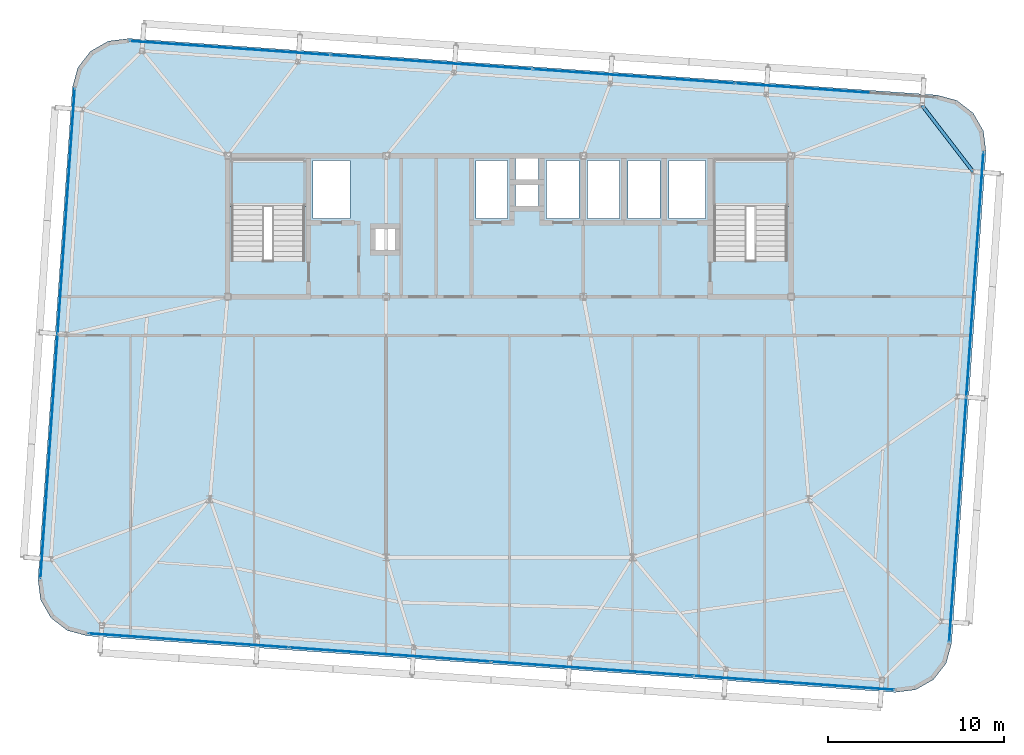
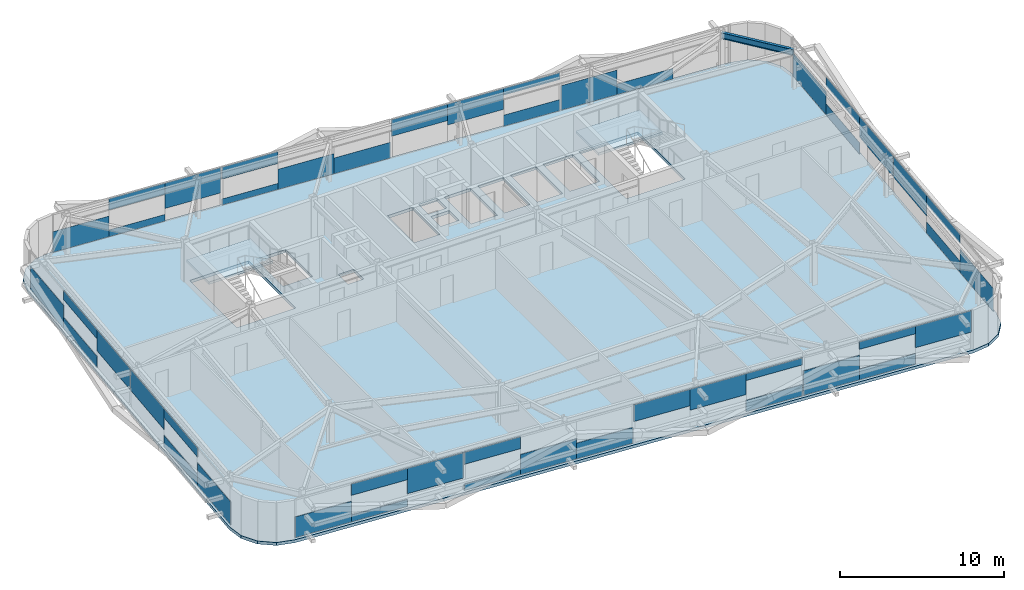
# One storey, part 25 of 39: 46 plates, 3 slabs, 1 beam, 6 elements without a shape of their own.
"""IFC4 building model written with IfcOpenShell, lengths in metres."""

from ifc_helpers import new_model, si_unit, direction, frame, origin, origin_2d, place, context, subcontext, project, spatial, polyline, rectangle, i_section, outline, extrude, source, transform, mapped, material, layer, layer_set, material_profile, profile_set, type_object, element, aggregate, save


model = new_model("IFC4")

# Units and contexts
model_context = context("Model", 3, precision=1e-05, world=origin(), true_north=direction((0.0, 1.0)))
body_context = subcontext(model_context, "Body", "Model", "MODEL_VIEW")
ifc_project = project(units=[si_unit("LENGTHUNIT", "METRE"), si_unit("AREAUNIT", "SQUARE_METRE"), si_unit("VOLUMEUNIT", "CUBIC_METRE"), si_unit("PLANEANGLEUNIT", "RADIAN"), si_unit("MASSUNIT", "GRAM", prefix="KILO")], contexts=[model_context])

# Site, building, storey
site_placement = place(None, origin())
site = spatial("IfcSite", under=ifc_project, at=site_placement, CompositionType="ELEMENT")
building_placement = place(site_placement, origin())
building = spatial("IfcBuilding", under=site, at=building_placement, Name="Taldren Reach Tower", CompositionType="ELEMENT")
storey_placement = place(building_placement, frame((0.0, 0.0, 155.050048828125)))
storey = spatial("IfcBuildingStorey", under=building, at=storey_placement, Name="L47", CompositionType="ELEMENT", Elevation=155.050048828125)

# Beam
ifc_material_1 = material(Name="Steel Gr 350 (350PLUS)", Category="steel")
ifc_material_profile = material_profile(ifc_material_1, i_section(OverallWidth=0.18994140625, OverallDepth=0.4541015625, WebThickness=0.008544921875, FlangeThickness=0.0126953125, at=origin_2d()), Name="460UB67.1")
ifc_profile_set = profile_set([ifc_material_profile], Name="Steel Gr 350 (350PLUS)")
beam_type = type_object("IfcBeamType", Name="SP-UB460B", PredefinedType="SPANDREL", material=ifc_profile_set)
shared_shape_1 = source(origin(), body_context, "Body", "SweptSolid", [
    extrude(i_section(OverallWidth=0.18994140625, OverallDepth=0.4541015625, WebThickness=0.008544921875, FlangeThickness=0.0126953125, at=origin_2d()), origin(), (0.0, 0.0, 1.0), 4.745849609375),
])
beam_placement = place(storey_placement, frame((61.3310546875, 31.1005859375, 2.702880859375), z_axis=(-0.609904656723, 0.792474800677, 0.0), x_axis=(-0.792474800677, -0.609904656723, 0.0)))
element("IfcBeam", 1, at=beam_placement, inside=storey, type_object=beam_type, Name="Perimeter spandrel B3 E3-N6 L47", PredefinedType="SPANDREL", context=body_context, shape_type="MappedRepresentation", body=[
    mapped(shared_shape_1, transform((0.0, 0.0, 0.0), scale=1.0)),
])

# Slab
ifc_material_2 = material(Name="Concrete N40 (40 MPa)", Category="concrete")
ifc_layer_1 = layer(ifc_material_2, 0.219970703125)
ifc_layer_set_1 = layer_set([ifc_layer_1], Name="Concrete N40 (40 MPa)")
slab_type_1 = type_object("IfcSlabType", Name="SL-FLR-220", PredefinedType="FLOOR", material=ifc_layer_set_1)
slab_1_placement = place(storey_placement, frame((0.0, 0.0, -0.219970703125)))
element("IfcSlab", 2, at=slab_1_placement, inside=storey, type_object=slab_type_1, Name="Suspended floor slab L47", PredefinedType="FLOOR", context=body_context, shape_type="SweptSolid", body=[
    extrude(outline(polyline([(56.908203125, 1.537109375), (58.0693359375, 1.684814453125), (59.08544921875, 2.265625), (59.80224609375, 3.191162109375), (60.110107421875, 4.320556640625), (62.063232421875, 32.252197265625), (61.91552734375, 33.413330078125), (61.334716796875, 34.4296875), (60.4091796875, 35.146240234375), (59.27978515625, 35.4541015625), (13.391845703125, 38.6630859375), (12.230712890625, 38.515380859375), (11.21435546875, 37.934326171875), (10.497802734375, 37.0087890625), (10.18994140625, 35.879638671875), (8.23681640625, 7.94775390625), (8.384521484375, 6.78662109375), (8.96533203125, 5.770263671875), (9.890869140625, 5.0537109375), (11.020263671875, 4.745849609375), (56.908203125, 1.537109375)]), holes=[polyline([(19.219970703125, 26.050048828125), (23.3798828125, 26.050048828125), (23.3798828125, 31.820068359375), (19.219970703125, 31.820068359375), (19.219970703125, 26.050048828125)]), polyline([(46.6201171875, 26.050048828125), (50.780029296875, 26.050048828125), (50.780029296875, 31.820068359375), (46.6201171875, 31.820068359375), (46.6201171875, 26.050048828125)]), polyline([(23.85009765625, 28.449951171875), (25.949951171875, 28.449951171875), (25.949951171875, 31.75), (23.85009765625, 31.75), (23.85009765625, 28.449951171875)]), polyline([(44.050048828125, 28.449951171875), (46.14990234375, 28.449951171875), (46.14990234375, 31.75), (44.050048828125, 31.75), (44.050048828125, 28.449951171875)]), polyline([(33.10009765625, 28.449951171875), (34.89990234375, 28.449951171875), (34.89990234375, 31.75), (33.10009765625, 31.75), (33.10009765625, 28.449951171875)]), polyline([(37.10009765625, 28.449951171875), (38.949951171875, 28.449951171875), (38.949951171875, 31.75), (37.10009765625, 31.75), (37.10009765625, 28.449951171875)]), polyline([(39.449951171875, 28.449951171875), (41.25, 28.449951171875), (41.25, 31.75), (39.449951171875, 31.75), (39.449951171875, 28.449951171875)]), polyline([(41.75, 28.449951171875), (43.550048828125, 28.449951171875), (43.550048828125, 31.75), (41.75, 31.75), (41.75, 28.449951171875)]), polyline([(35.35009765625, 30.64990234375), (36.64990234375, 30.64990234375), (36.64990234375, 31.85009765625), (35.35009765625, 31.85009765625), (35.35009765625, 30.64990234375)]), polyline([(35.35009765625, 29.14990234375), (36.64990234375, 29.14990234375), (36.64990234375, 30.35009765625), (35.35009765625, 30.35009765625), (35.35009765625, 29.14990234375)]), polyline([(27.39990234375, 26.64990234375), (28.5, 26.64990234375), (28.5, 27.85009765625), (27.39990234375, 27.85009765625), (27.39990234375, 26.64990234375)])]), origin(), (0.0, 0.0, 1.0), 0.219970703125),
])

# Stair, slab
ifc_material_3 = material(Name="Concrete S50 (50 MPa)", Category="concrete")
stair_type = type_object("IfcStairType", Name="ST-HT-315", PredefinedType="HALF_TURN_STAIR", material=ifc_material_3)
stair_1_placement = place(storey_placement, origin())
stair_1 = element("IfcStair", 3, at=stair_1_placement, inside=storey, type_object=stair_type, Name="Fire-isolated exit stair ST1 L47", PredefinedType="HALF_TURN_STAIR")
ifc_layer_2 = layer(ifc_material_3, 0.179931640625)
ifc_layer_set_2 = layer_set([ifc_layer_2], Name="Concrete S50 (50 MPa)")
slab_type_2 = type_object("IfcSlabType", Name="SL-LAND-180", PredefinedType="LANDING", material=ifc_layer_set_2)
slab_2_placement = place(storey_placement, frame((0.0, 0.0, 1.39501953125)))
slab_2 = element("IfcSlab", 4, at=slab_2_placement, type_object=slab_type_2, Name="ST1 landing 1", PredefinedType="LANDING", context=body_context, shape_type="SweptSolid", body=[
    extrude(outline(polyline([(19.0400390625, 29.135009765625), (23.56005859375, 29.135009765625), (23.56005859375, 31.8701171875), (19.0400390625, 31.8701171875), (19.0400390625, 29.135009765625)])), origin(), (0.0, 0.0, 1.0), 0.179931640625),
])
aggregate(stair_1, [slab_2])

stair_2_placement = place(storey_placement, origin())
stair_2 = element("IfcStair", 5, at=stair_2_placement, inside=storey, type_object=stair_type, Name="Fire-isolated exit stair ST2 L47", PredefinedType="HALF_TURN_STAIR")
slab_3_placement = place(storey_placement, frame((0.0, 0.0, 1.39501953125)))
slab_3 = element("IfcSlab", 6, at=slab_3_placement, type_object=slab_type_2, Name="ST2 landing 1", PredefinedType="LANDING", context=body_context, shape_type="SweptSolid", body=[
    extrude(outline(polyline([(46.43994140625, 29.135009765625), (50.9599609375, 29.135009765625), (50.9599609375, 31.8701171875), (46.43994140625, 31.8701171875), (46.43994140625, 29.135009765625)])), origin(), (0.0, 0.0, 1.0), 0.179931640625),
])
aggregate(stair_2, [slab_3])

# Curtain wall, plates
ifc_material_4 = material(Name="Aluminium and Low-E Glass Unitised System", Category="aluminium")
ifc_layer_3 = layer(ifc_material_4, 0.159912109375)
ifc_layer_set_3 = layer_set([ifc_layer_3], Name="Aluminium and Low-E Glass Unitised System")
curtain_wall_type = type_object("IfcCurtainWallType", Name="CW-SYS-4", PredefinedType="NOTDEFINED", material=ifc_layer_set_3)
curtain_wall_1_placement = place(storey_placement, origin())
curtain_wall_1 = element("IfcCurtainWall", 7, at=curtain_wall_1_placement, inside=storey, type_object=curtain_wall_type, Name="Unitised curtain wall CW-L47-S", PredefinedType="NOTDEFINED")
ifc_material_5 = material(Name="Solar-Control Double Glazed IGU", Category="glass")
ifc_layer_4 = layer(ifc_material_5, 0.031982421875)
ifc_layer_set_4 = layer_set([ifc_layer_4], Name="Solar-Control Double Glazed IGU")
plate_type = type_object("IfcPlateType", Name="CW-PNL-IGU32", PredefinedType="CURTAIN_PANEL", material=ifc_layer_set_4)
shared_shape_2 = source(origin(), body_context, "Body", "SweptSolid", [
    extrude(rectangle(XDim=3.79833984375, YDim=0.031982421875, at=origin_2d()), origin(), (0.0, 0.0, 1.0), 1.597900390625),
])
plate_1_placement = place(storey_placement, frame((54.95361328125, 1.81396484375, 1.27685546875), z_axis=(0.0, 0.0, 1.0), x_axis=(0.99756404731, -0.06975651593, 0.0)))
plate_1 = element("IfcPlate", 8, at=plate_1_placement, type_object=plate_type, Name="CW-4 panel 4.1 part 4", PredefinedType="CURTAIN_PANEL", context=body_context, shape_type="MappedRepresentation", body=[
    mapped(shared_shape_2, transform((0.0, 0.0, 0.0), scale=1.0)),
])
shared_shape_3 = source(origin(), body_context, "Body", "SweptSolid", [
    extrude(rectangle(XDim=3.79833984375, YDim=0.031982421875, at=origin_2d()), origin(), (0.0, 0.0, 1.0), 0.787109375),
])
plate_2_placement = place(storey_placement, frame((51.16455078125, 2.0791015625, 0.054931640625), z_axis=(0.0, 0.0, 1.0), x_axis=(0.99756404731, -0.06975651593, 0.0)))
plate_2 = element("IfcPlate", 9, at=plate_2_placement, type_object=plate_type, Name="CW-4 panel 4.1 part 2", PredefinedType="CURTAIN_PANEL", context=body_context, shape_type="MappedRepresentation", body=[
    mapped(shared_shape_3, transform((0.0, 0.0, 0.0), scale=1.0)),
])

# Curtain wall, plate
curtain_wall_2_placement = place(storey_placement, origin())
curtain_wall_2 = element("IfcCurtainWall", 10, at=curtain_wall_2_placement, inside=storey, type_object=curtain_wall_type, Name="Unitised curtain wall CW-L47-N", PredefinedType="NOTDEFINED")
plate_3_placement = place(storey_placement, frame((53.5166015625, 35.716796875, 0.054931640625), z_axis=(0.0, 0.0, 1.0), x_axis=(-0.99756404731, 0.06975651593, 0.0)))
plate_3 = element("IfcPlate", 11, at=plate_3_placement, type_object=plate_type, Name="CW-4 panel 1.1 part 2", PredefinedType="CURTAIN_PANEL", context=body_context, shape_type="MappedRepresentation", body=[
    mapped(shared_shape_3, transform((0.0, 0.0, 0.0), scale=1.0)),
])

# Plate
shared_shape_4 = source(origin(), body_context, "Body", "SweptSolid", [
    extrude(rectangle(XDim=3.79833984375, YDim=0.031982421875, at=origin_2d()), origin(), (0.0, 0.0, 1.0), 0.558349609375),
])
plate_4_placement = place(storey_placement, frame((51.16455078125, 2.0791015625, 2.31640625), z_axis=(0.0, 0.0, 1.0), x_axis=(0.99756404731, -0.06975651593, 0.0)))
plate_4 = element("IfcPlate", 12, at=plate_4_placement, type_object=plate_type, Name="CW-4 panel 4.1 part 3", PredefinedType="CURTAIN_PANEL", context=body_context, shape_type="MappedRepresentation", body=[
    mapped(shared_shape_4, transform((0.0, 0.0, 0.0), scale=1.0)),
])

shared_shape_5 = source(origin(), body_context, "Body", "SweptSolid", [
    extrude(rectangle(XDim=3.79833984375, YDim=0.031982421875, at=origin_2d()), origin(), (0.0, 0.0, 1.0), 1.826416015625),
])
plate_5_placement = place(storey_placement, frame((47.375244140625, 2.343994140625, 0.05517578125), z_axis=(0.0, 0.0, 1.0), x_axis=(0.99756404731, -0.06975651593, 0.0)))
plate_5 = element("IfcPlate", 13, at=plate_5_placement, type_object=plate_type, Name="CW-4 panel 4.1 part 1", PredefinedType="CURTAIN_PANEL", context=body_context, shape_type="MappedRepresentation", body=[
    mapped(shared_shape_5, transform((0.0, 0.0, 0.0), scale=1.0)),
])

plate_6_placement = place(storey_placement, frame((49.7275390625, 35.981689453125, 0.05517578125), z_axis=(0.0, 0.0, 1.0), x_axis=(-0.99756404731, 0.06975651593, 0.0)))
plate_6 = element("IfcPlate", 14, at=plate_6_placement, type_object=plate_type, Name="CW-4 panel 1.1 part 4", PredefinedType="CURTAIN_PANEL", context=body_context, shape_type="MappedRepresentation", body=[
    mapped(shared_shape_5, transform((0.0, 0.0, 0.0), scale=1.0)),
])

shared_shape_6 = source(origin(), body_context, "Body", "SweptSolid", [
    extrude(rectangle(XDim=3.81005859375, YDim=0.031982421875, at=origin_2d()), origin(), (0.0, 0.0, 1.0), 0.8271484375),
])
plate_7_placement = place(storey_placement, frame((43.510498046875, 2.6142578125, 0.054931640625), z_axis=(0.0, 0.0, 1.0), x_axis=(0.99756404731, -0.06975651593, 0.0)))
plate_7 = element("IfcPlate", 15, at=plate_7_placement, type_object=plate_type, Name="CW-4 panel 3.1 part 3", PredefinedType="CURTAIN_PANEL", context=body_context, shape_type="MappedRepresentation", body=[
    mapped(shared_shape_6, transform((0.0, 0.0, 0.0), scale=1.0)),
])

plate_8_placement = place(storey_placement, frame((45.86279296875, 36.251953125, 0.054931640625), z_axis=(0.0, 0.0, 1.0), x_axis=(-0.99756404731, 0.06975651593, 0.0)))
plate_8 = element("IfcPlate", 16, at=plate_8_placement, type_object=plate_type, Name="CW-4 panel 2.1 part 1", PredefinedType="CURTAIN_PANEL", context=body_context, shape_type="MappedRepresentation", body=[
    mapped(shared_shape_6, transform((0.0, 0.0, 0.0), scale=1.0)),
])

shared_shape_7 = source(origin(), body_context, "Body", "SweptSolid", [
    extrude(rectangle(XDim=3.81005859375, YDim=0.031982421875, at=origin_2d()), origin(), (0.0, 0.0, 1.0), 0.51513671875),
])
plate_9_placement = place(storey_placement, frame((43.510498046875, 2.6142578125, 2.35986328125), z_axis=(0.0, 0.0, 1.0), x_axis=(0.99756404731, -0.06975651593, 0.0)))
plate_9 = element("IfcPlate", 17, at=plate_9_placement, type_object=plate_type, Name="CW-4 panel 3.1 part 4", PredefinedType="CURTAIN_PANEL", context=body_context, shape_type="MappedRepresentation", body=[
    mapped(shared_shape_7, transform((0.0, 0.0, 0.0), scale=1.0)),
])

plate_10_placement = place(storey_placement, frame((45.86279296875, 36.251953125, 2.35986328125), z_axis=(0.0, 0.0, 1.0), x_axis=(-0.99756404731, 0.06975651593, 0.0)))
plate_10 = element("IfcPlate", 18, at=plate_10_placement, type_object=plate_type, Name="CW-4 panel 2.1 part 2", PredefinedType="CURTAIN_PANEL", context=body_context, shape_type="MappedRepresentation", body=[
    mapped(shared_shape_7, transform((0.0, 0.0, 0.0), scale=1.0)),
])

shared_shape_8 = source(origin(), body_context, "Body", "SweptSolid", [
    extrude(rectangle(XDim=3.81005859375, YDim=0.031982421875, at=origin_2d()), origin(), (0.0, 0.0, 1.0), 1.5576171875),
])
plate_11_placement = place(storey_placement, frame((39.7099609375, 2.8798828125, 1.3173828125), z_axis=(0.0, 0.0, 1.0), x_axis=(0.99756404731, -0.06975651593, 0.0)))
plate_11 = element("IfcPlate", 19, at=plate_11_placement, type_object=plate_type, Name="CW-4 panel 3.1 part 2", PredefinedType="CURTAIN_PANEL", context=body_context, shape_type="MappedRepresentation", body=[
    mapped(shared_shape_8, transform((0.0, 0.0, 0.0), scale=1.0)),
])

plate_12_placement = place(storey_placement, frame((42.06201171875, 36.517822265625, 1.3173828125), z_axis=(0.0, 0.0, 1.0), x_axis=(-0.99756404731, 0.06975651593, 0.0)))
plate_12 = element("IfcPlate", 20, at=plate_12_placement, type_object=plate_type, Name="CW-4 panel 2.1 part 3", PredefinedType="CURTAIN_PANEL", context=body_context, shape_type="MappedRepresentation", body=[
    mapped(shared_shape_8, transform((0.0, 0.0, 0.0), scale=1.0)),
])

shared_shape_9 = source(origin(), body_context, "Body", "SweptSolid", [
    extrude(rectangle(XDim=3.81005859375, YDim=0.031982421875, at=origin_2d()), origin(), (0.0, 0.0, 1.0), 1.23193359375),
])
plate_13_placement = place(storey_placement, frame((35.9091796875, 3.145751953125, 1.64306640625), z_axis=(0.0, 0.0, 1.0), x_axis=(0.99756404731, -0.06975651593, 0.0)))
plate_13 = element("IfcPlate", 21, at=plate_13_placement, type_object=plate_type, Name="CW-4 panel 3.1 part 1", PredefinedType="CURTAIN_PANEL", context=body_context, shape_type="MappedRepresentation", body=[
    mapped(shared_shape_9, transform((0.0, 0.0, 0.0), scale=1.0)),
])

plate_14_placement = place(storey_placement, frame((38.261474609375, 36.78369140625, 1.64306640625), z_axis=(0.0, 0.0, 1.0), x_axis=(-0.99756404731, 0.06975651593, 0.0)))
plate_14 = element("IfcPlate", 22, at=plate_14_placement, type_object=plate_type, Name="CW-4 panel 2.1 part 4", PredefinedType="CURTAIN_PANEL", context=body_context, shape_type="MappedRepresentation", body=[
    mapped(shared_shape_9, transform((0.0, 0.0, 0.0), scale=1.0)),
])

shared_shape_10 = source(origin(), body_context, "Body", "SweptSolid", [
    extrude(rectangle(XDim=3.81005859375, YDim=0.031982421875, at=origin_2d()), origin(), (0.0, 0.0, 1.0), 1.172119140625),
])
plate_15_placement = place(storey_placement, frame((32.03857421875, 3.41650390625, 0.0546875), z_axis=(0.0, 0.0, 1.0), x_axis=(0.99756404731, -0.06975651593, 0.0)))
plate_15 = element("IfcPlate", 23, at=plate_15_placement, type_object=plate_type, Name="CW-4 panel 2.1 part 4", PredefinedType="CURTAIN_PANEL", context=body_context, shape_type="MappedRepresentation", body=[
    mapped(shared_shape_10, transform((0.0, 0.0, 0.0), scale=1.0)),
])

plate_16_placement = place(storey_placement, frame((34.390869140625, 37.05419921875, 0.0546875), z_axis=(0.0, 0.0, 1.0), x_axis=(-0.99756404731, 0.06975651593, 0.0)))
plate_16 = element("IfcPlate", 24, at=plate_16_placement, type_object=plate_type, Name="CW-4 panel 3.1 part 1", PredefinedType="CURTAIN_PANEL", context=body_context, shape_type="MappedRepresentation", body=[
    mapped(shared_shape_10, transform((0.0, 0.0, 0.0), scale=1.0)),
])

shared_shape_11 = source(origin(), body_context, "Body", "SweptSolid", [
    extrude(rectangle(XDim=3.81005859375, YDim=0.031982421875, at=origin_2d()), origin(), (0.0, 0.0, 1.0), 1.497802734375),
])
plate_17_placement = place(storey_placement, frame((28.23779296875, 3.68212890625, 0.0546875), z_axis=(0.0, 0.0, 1.0), x_axis=(0.99756404731, -0.06975651593, 0.0)))
plate_17 = element("IfcPlate", 25, at=plate_17_placement, type_object=plate_type, Name="CW-4 panel 2.1 part 3", PredefinedType="CURTAIN_PANEL", context=body_context, shape_type="MappedRepresentation", body=[
    mapped(shared_shape_11, transform((0.0, 0.0, 0.0), scale=1.0)),
])

plate_18_placement = place(storey_placement, frame((30.590087890625, 37.320068359375, 0.0546875), z_axis=(0.0, 0.0, 1.0), x_axis=(-0.99756404731, 0.06975651593, 0.0)))
plate_18 = element("IfcPlate", 26, at=plate_18_placement, type_object=plate_type, Name="CW-4 panel 3.1 part 2", PredefinedType="CURTAIN_PANEL", context=body_context, shape_type="MappedRepresentation", body=[
    mapped(shared_shape_11, transform((0.0, 0.0, 0.0), scale=1.0)),
])

shared_shape_12 = source(origin(), body_context, "Body", "SweptSolid", [
    extrude(rectangle(XDim=3.81005859375, YDim=0.031982421875, at=origin_2d()), origin(), (0.0, 0.0, 1.0), 0.455078125),
])
plate_19_placement = place(storey_placement, frame((24.437255859375, 3.947998046875, 0.054931640625), z_axis=(0.0, 0.0, 1.0), x_axis=(0.99756404731, -0.06975651593, 0.0)))
plate_19 = element("IfcPlate", 27, at=plate_19_placement, type_object=plate_type, Name="CW-4 panel 2.1 part 1", PredefinedType="CURTAIN_PANEL", context=body_context, shape_type="MappedRepresentation", body=[
    mapped(shared_shape_12, transform((0.0, 0.0, 0.0), scale=1.0)),
])

plate_20_placement = place(storey_placement, frame((26.789306640625, 37.585693359375, 0.054931640625), z_axis=(0.0, 0.0, 1.0), x_axis=(-0.99756404731, 0.06975651593, 0.0)))
plate_20 = element("IfcPlate", 28, at=plate_20_placement, type_object=plate_type, Name="CW-4 panel 3.1 part 3", PredefinedType="CURTAIN_PANEL", context=body_context, shape_type="MappedRepresentation", body=[
    mapped(shared_shape_12, transform((0.0, 0.0, 0.0), scale=1.0)),
])

shared_shape_13 = source(origin(), body_context, "Body", "SweptSolid", [
    extrude(rectangle(XDim=3.81005859375, YDim=0.031982421875, at=origin_2d()), origin(), (0.0, 0.0, 1.0), 0.88720703125),
])
plate_21_placement = place(storey_placement, frame((24.437255859375, 3.947998046875, 1.98779296875), z_axis=(0.0, 0.0, 1.0), x_axis=(0.99756404731, -0.06975651593, 0.0)))
plate_21 = element("IfcPlate", 29, at=plate_21_placement, type_object=plate_type, Name="CW-4 panel 2.1 part 2", PredefinedType="CURTAIN_PANEL", context=body_context, shape_type="MappedRepresentation", body=[
    mapped(shared_shape_13, transform((0.0, 0.0, 0.0), scale=1.0)),
])

plate_22_placement = place(storey_placement, frame((26.789306640625, 37.585693359375, 1.98779296875), z_axis=(0.0, 0.0, 1.0), x_axis=(-0.99756404731, 0.06975651593, 0.0)))
plate_22 = element("IfcPlate", 30, at=plate_22_placement, type_object=plate_type, Name="CW-4 panel 3.1 part 4", PredefinedType="CURTAIN_PANEL", context=body_context, shape_type="MappedRepresentation", body=[
    mapped(shared_shape_13, transform((0.0, 0.0, 0.0), scale=1.0)),
])

shared_shape_14 = source(origin(), body_context, "Body", "SweptSolid", [
    extrude(rectangle(XDim=3.79833984375, YDim=0.031982421875, at=origin_2d()), origin(), (0.0, 0.0, 1.0), 1.886474609375),
])
plate_23_placement = place(storey_placement, frame((20.572509765625, 4.21826171875, 0.98828125), z_axis=(0.0, 0.0, 1.0), x_axis=(0.99756404731, -0.06975651593, 0.0)))
plate_23 = element("IfcPlate", 31, at=plate_23_placement, type_object=plate_type, Name="CW-4 panel 1.1 part 4", PredefinedType="CURTAIN_PANEL", context=body_context, shape_type="MappedRepresentation", body=[
    mapped(shared_shape_14, transform((0.0, 0.0, 0.0), scale=1.0)),
])

plate_24_placement = place(storey_placement, frame((22.924560546875, 37.85595703125, 0.98828125), z_axis=(0.0, 0.0, 1.0), x_axis=(-0.99756404731, 0.06975651593, 0.0)))
plate_24 = element("IfcPlate", 32, at=plate_24_placement, type_object=plate_type, Name="CW-4 panel 4.1 part 1", PredefinedType="CURTAIN_PANEL", context=body_context, shape_type="MappedRepresentation", body=[
    mapped(shared_shape_14, transform((0.0, 0.0, 0.0), scale=1.0)),
])

shared_shape_15 = source(origin(), body_context, "Body", "SweptSolid", [
    extrude(rectangle(XDim=3.79833984375, YDim=0.031982421875, at=origin_2d()), origin(), (0.0, 0.0, 1.0), 0.498291015625),
])
plate_25_placement = place(storey_placement, frame((16.783447265625, 4.483154296875, 0.05517578125), z_axis=(0.0, 0.0, 1.0), x_axis=(0.99756404731, -0.06975651593, 0.0)))
plate_25 = element("IfcPlate", 33, at=plate_25_placement, type_object=plate_type, Name="CW-4 panel 1.1 part 2", PredefinedType="CURTAIN_PANEL", context=body_context, shape_type="MappedRepresentation", body=[
    mapped(shared_shape_15, transform((0.0, 0.0, 0.0), scale=1.0)),
])

plate_26_placement = place(storey_placement, frame((19.135498046875, 38.12109375, 0.05517578125), z_axis=(0.0, 0.0, 1.0), x_axis=(-0.99756404731, 0.06975651593, 0.0)))
plate_26 = element("IfcPlate", 34, at=plate_26_placement, type_object=plate_type, Name="CW-4 panel 4.1 part 2", PredefinedType="CURTAIN_PANEL", context=body_context, shape_type="MappedRepresentation", body=[
    mapped(shared_shape_15, transform((0.0, 0.0, 0.0), scale=1.0)),
])

shared_shape_16 = source(origin(), body_context, "Body", "SweptSolid", [
    extrude(rectangle(XDim=3.79833984375, YDim=0.031982421875, at=origin_2d()), origin(), (0.0, 0.0, 1.0), 0.84716796875),
])
plate_27_placement = place(storey_placement, frame((16.783447265625, 4.483154296875, 2.02783203125), z_axis=(0.0, 0.0, 1.0), x_axis=(0.99756404731, -0.06975651593, 0.0)))
plate_27 = element("IfcPlate", 35, at=plate_27_placement, type_object=plate_type, Name="CW-4 panel 1.1 part 3", PredefinedType="CURTAIN_PANEL", context=body_context, shape_type="MappedRepresentation", body=[
    mapped(shared_shape_16, transform((0.0, 0.0, 0.0), scale=1.0)),
])

plate_28_placement = place(storey_placement, frame((19.135498046875, 38.12109375, 2.02783203125), z_axis=(0.0, 0.0, 1.0), x_axis=(-0.99756404731, 0.06975651593, 0.0)))
plate_28 = element("IfcPlate", 36, at=plate_28_placement, type_object=plate_type, Name="CW-4 panel 4.1 part 3", PredefinedType="CURTAIN_PANEL", context=body_context, shape_type="MappedRepresentation", body=[
    mapped(shared_shape_16, transform((0.0, 0.0, 0.0), scale=1.0)),
])

shared_shape_17 = source(origin(), body_context, "Body", "SweptSolid", [
    extrude(rectangle(XDim=3.79833984375, YDim=0.031982421875, at=origin_2d()), origin(), (0.0, 0.0, 1.0), 1.537841796875),
])
plate_29_placement = place(storey_placement, frame((12.994384765625, 4.748046875, 0.05517578125), z_axis=(0.0, 0.0, 1.0), x_axis=(0.99756404731, -0.06975651593, 0.0)))
plate_29 = element("IfcPlate", 37, at=plate_29_placement, type_object=plate_type, Name="CW-4 panel 1.1 part 1", PredefinedType="CURTAIN_PANEL", context=body_context, shape_type="MappedRepresentation", body=[
    mapped(shared_shape_17, transform((0.0, 0.0, 0.0), scale=1.0)),
])

aggregate(curtain_wall_1, [plate_29, plate_25, plate_27, plate_23, plate_19, plate_21, plate_17, plate_15, plate_13, plate_11, plate_7, plate_9, plate_5, plate_2, plate_4, plate_1])

plate_30_placement = place(storey_placement, frame((15.346435546875, 38.385986328125, 0.05517578125), z_axis=(0.0, 0.0, 1.0), x_axis=(-0.99756404731, 0.06975651593, 0.0)))
plate_30 = element("IfcPlate", 38, at=plate_30_placement, type_object=plate_type, Name="CW-4 panel 4.1 part 4", PredefinedType="CURTAIN_PANEL", context=body_context, shape_type="MappedRepresentation", body=[
    mapped(shared_shape_17, transform((0.0, 0.0, 0.0), scale=1.0)),
])

aggregate(curtain_wall_2, [plate_3, plate_6, plate_8, plate_10, plate_12, plate_14, plate_16, plate_18, plate_20, plate_22, plate_24, plate_26, plate_28, plate_30])

# Curtain wall, plates
curtain_wall_3_placement = place(storey_placement, origin())
curtain_wall_3 = element("IfcCurtainWall", 39, at=curtain_wall_3_placement, inside=storey, type_object=curtain_wall_type, Name="Unitised curtain wall CW-L47-W", PredefinedType="NOTDEFINED")
shared_shape_18 = source(origin(), body_context, "Body", "SweptSolid", [
    extrude(rectangle(XDim=4.631591796875, YDim=0.031982421875, at=origin_2d()), origin(), (0.0, 0.0, 1.0), 1.716552734375),
])
plate_31_placement = place(storey_placement, frame((10.1630859375, 33.48974609375, 0.05517578125), z_axis=(0.0, 0.0, 1.0), x_axis=(-0.069756437251, -0.997564052812, 0.0)))
plate_31 = element("IfcPlate", 40, at=plate_31_placement, type_object=plate_type, Name="CW-4 panel 1.1 part 1", PredefinedType="CURTAIN_PANEL", context=body_context, shape_type="MappedRepresentation", body=[
    mapped(shared_shape_18, transform((0.0, 0.0, 0.0), scale=1.0)),
])
plate_32_placement = place(storey_placement, frame((8.542724609375, 10.318115234375, 0.05517578125), z_axis=(0.0, 0.0, 1.0), x_axis=(-0.069756437251, -0.997564052812, 0.0)))
plate_32 = element("IfcPlate", 41, at=plate_32_placement, type_object=plate_type, Name="CW-4 panel 2.1 part 4", PredefinedType="CURTAIN_PANEL", context=body_context, shape_type="MappedRepresentation", body=[
    mapped(shared_shape_18, transform((0.0, 0.0, 0.0), scale=1.0)),
])

curtain_wall_4_placement = place(storey_placement, origin())
curtain_wall_4 = element("IfcCurtainWall", 42, at=curtain_wall_4_placement, inside=storey, type_object=curtain_wall_type, Name="Unitised curtain wall CW-L47-E", PredefinedType="NOTDEFINED")
plate_33_placement = place(storey_placement, frame((60.136962890625, 6.710205078125, 0.05517578125), z_axis=(0.0, 0.0, 1.0), x_axis=(0.069756437251, 0.997564052812, 0.0)))
plate_33 = element("IfcPlate", 43, at=plate_33_placement, type_object=plate_type, Name="CW-4 panel 1.1 part 1", PredefinedType="CURTAIN_PANEL", context=body_context, shape_type="MappedRepresentation", body=[
    mapped(shared_shape_18, transform((0.0, 0.0, 0.0), scale=1.0)),
])
plate_34_placement = place(storey_placement, frame((61.757080078125, 29.882080078125, 0.05517578125), z_axis=(0.0, 0.0, 1.0), x_axis=(0.069756437251, 0.997564052812, 0.0)))
plate_34 = element("IfcPlate", 44, at=plate_34_placement, type_object=plate_type, Name="CW-4 panel 2.1 part 4", PredefinedType="CURTAIN_PANEL", context=body_context, shape_type="MappedRepresentation", body=[
    mapped(shared_shape_18, transform((0.0, 0.0, 0.0), scale=1.0)),
])

# Plate
shared_shape_19 = source(origin(), body_context, "Body", "SweptSolid", [
    extrude(rectangle(XDim=4.631591796875, YDim=0.031982421875, at=origin_2d()), origin(), (0.0, 0.0, 1.0), 0.837158203125),
])
plate_35_placement = place(storey_placement, frame((9.840087890625, 28.869384765625, 0.05517578125), z_axis=(0.0, 0.0, 1.0), x_axis=(-0.069756437251, -0.997564052812, 0.0)))
plate_35 = element("IfcPlate", 45, at=plate_35_placement, type_object=plate_type, Name="CW-4 panel 1.1 part 2", PredefinedType="CURTAIN_PANEL", context=body_context, shape_type="MappedRepresentation", body=[
    mapped(shared_shape_19, transform((0.0, 0.0, 0.0), scale=1.0)),
])

plate_36_placement = place(storey_placement, frame((8.865966796875, 14.9384765625, 0.05517578125), z_axis=(0.0, 0.0, 1.0), x_axis=(-0.069756437251, -0.997564052812, 0.0)))
plate_36 = element("IfcPlate", 46, at=plate_36_placement, type_object=plate_type, Name="CW-4 panel 2.1 part 2", PredefinedType="CURTAIN_PANEL", context=body_context, shape_type="MappedRepresentation", body=[
    mapped(shared_shape_19, transform((0.0, 0.0, 0.0), scale=1.0)),
])

plate_37_placement = place(storey_placement, frame((60.4599609375, 11.33056640625, 0.05517578125), z_axis=(0.0, 0.0, 1.0), x_axis=(0.069756437251, 0.997564052812, 0.0)))
plate_37 = element("IfcPlate", 47, at=plate_37_placement, type_object=plate_type, Name="CW-4 panel 1.1 part 2", PredefinedType="CURTAIN_PANEL", context=body_context, shape_type="MappedRepresentation", body=[
    mapped(shared_shape_19, transform((0.0, 0.0, 0.0), scale=1.0)),
])

plate_38_placement = place(storey_placement, frame((61.43408203125, 25.261474609375, 0.05517578125), z_axis=(0.0, 0.0, 1.0), x_axis=(0.069756437251, 0.997564052812, 0.0)))
plate_38 = element("IfcPlate", 48, at=plate_38_placement, type_object=plate_type, Name="CW-4 panel 2.1 part 2", PredefinedType="CURTAIN_PANEL", context=body_context, shape_type="MappedRepresentation", body=[
    mapped(shared_shape_19, transform((0.0, 0.0, 0.0), scale=1.0)),
])

shared_shape_20 = source(origin(), body_context, "Body", "SweptSolid", [
    extrude(rectangle(XDim=4.631591796875, YDim=0.031982421875, at=origin_2d()), origin(), (0.0, 0.0, 1.0), 0.676025390625),
])
plate_39_placement = place(storey_placement, frame((9.840087890625, 28.869384765625, 2.19873046875), z_axis=(0.0, 0.0, 1.0), x_axis=(-0.069756437251, -0.997564052812, 0.0)))
plate_39 = element("IfcPlate", 49, at=plate_39_placement, type_object=plate_type, Name="CW-4 panel 1.1 part 3", PredefinedType="CURTAIN_PANEL", context=body_context, shape_type="MappedRepresentation", body=[
    mapped(shared_shape_20, transform((0.0, 0.0, 0.0), scale=1.0)),
])

plate_40_placement = place(storey_placement, frame((8.865966796875, 14.9384765625, 2.19873046875), z_axis=(0.0, 0.0, 1.0), x_axis=(-0.069756437251, -0.997564052812, 0.0)))
plate_40 = element("IfcPlate", 50, at=plate_40_placement, type_object=plate_type, Name="CW-4 panel 2.1 part 3", PredefinedType="CURTAIN_PANEL", context=body_context, shape_type="MappedRepresentation", body=[
    mapped(shared_shape_20, transform((0.0, 0.0, 0.0), scale=1.0)),
])

plate_41_placement = place(storey_placement, frame((60.4599609375, 11.33056640625, 2.19873046875), z_axis=(0.0, 0.0, 1.0), x_axis=(0.069756437251, 0.997564052812, 0.0)))
plate_41 = element("IfcPlate", 51, at=plate_41_placement, type_object=plate_type, Name="CW-4 panel 1.1 part 3", PredefinedType="CURTAIN_PANEL", context=body_context, shape_type="MappedRepresentation", body=[
    mapped(shared_shape_20, transform((0.0, 0.0, 0.0), scale=1.0)),
])

plate_42_placement = place(storey_placement, frame((61.43408203125, 25.261474609375, 2.19873046875), z_axis=(0.0, 0.0, 1.0), x_axis=(0.069756437251, 0.997564052812, 0.0)))
plate_42 = element("IfcPlate", 52, at=plate_42_placement, type_object=plate_type, Name="CW-4 panel 2.1 part 3", PredefinedType="CURTAIN_PANEL", context=body_context, shape_type="MappedRepresentation", body=[
    mapped(shared_shape_20, transform((0.0, 0.0, 0.0), scale=1.0)),
])

shared_shape_21 = source(origin(), body_context, "Body", "SweptSolid", [
    extrude(rectangle(XDim=4.631591796875, YDim=0.031982421875, at=origin_2d()), origin(), (0.0, 0.0, 1.0), 1.555419921875),
])
plate_43_placement = place(storey_placement, frame((9.51708984375, 24.2490234375, 1.3193359375), z_axis=(0.0, 0.0, 1.0), x_axis=(-0.069756437251, -0.997564052812, 0.0)))
plate_43 = element("IfcPlate", 53, at=plate_43_placement, type_object=plate_type, Name="CW-4 panel 1.1 part 4", PredefinedType="CURTAIN_PANEL", context=body_context, shape_type="MappedRepresentation", body=[
    mapped(shared_shape_21, transform((0.0, 0.0, 0.0), scale=1.0)),
])

plate_44_placement = place(storey_placement, frame((9.18896484375, 19.558837890625, 1.3193359375), z_axis=(0.0, 0.0, 1.0), x_axis=(-0.069756437251, -0.997564052812, 0.0)))
plate_44 = element("IfcPlate", 54, at=plate_44_placement, type_object=plate_type, Name="CW-4 panel 2.1 part 1", PredefinedType="CURTAIN_PANEL", context=body_context, shape_type="MappedRepresentation", body=[
    mapped(shared_shape_21, transform((0.0, 0.0, 0.0), scale=1.0)),
])

aggregate(curtain_wall_3, [plate_31, plate_35, plate_39, plate_43, plate_44, plate_36, plate_40, plate_32])

plate_45_placement = place(storey_placement, frame((60.782958984375, 15.950927734375, 1.3193359375), z_axis=(0.0, 0.0, 1.0), x_axis=(0.069756437251, 0.997564052812, 0.0)))
plate_45 = element("IfcPlate", 55, at=plate_45_placement, type_object=plate_type, Name="CW-4 panel 1.1 part 4", PredefinedType="CURTAIN_PANEL", context=body_context, shape_type="MappedRepresentation", body=[
    mapped(shared_shape_21, transform((0.0, 0.0, 0.0), scale=1.0)),
])

plate_46_placement = place(storey_placement, frame((61.111083984375, 20.64111328125, 1.3193359375), z_axis=(0.0, 0.0, 1.0), x_axis=(0.069756437251, 0.997564052812, 0.0)))
plate_46 = element("IfcPlate", 56, at=plate_46_placement, type_object=plate_type, Name="CW-4 panel 2.1 part 1", PredefinedType="CURTAIN_PANEL", context=body_context, shape_type="MappedRepresentation", body=[
    mapped(shared_shape_21, transform((0.0, 0.0, 0.0), scale=1.0)),
])

aggregate(curtain_wall_4, [plate_33, plate_37, plate_41, plate_45, plate_46, plate_38, plate_42, plate_34])

save(model, "model.ifc")
